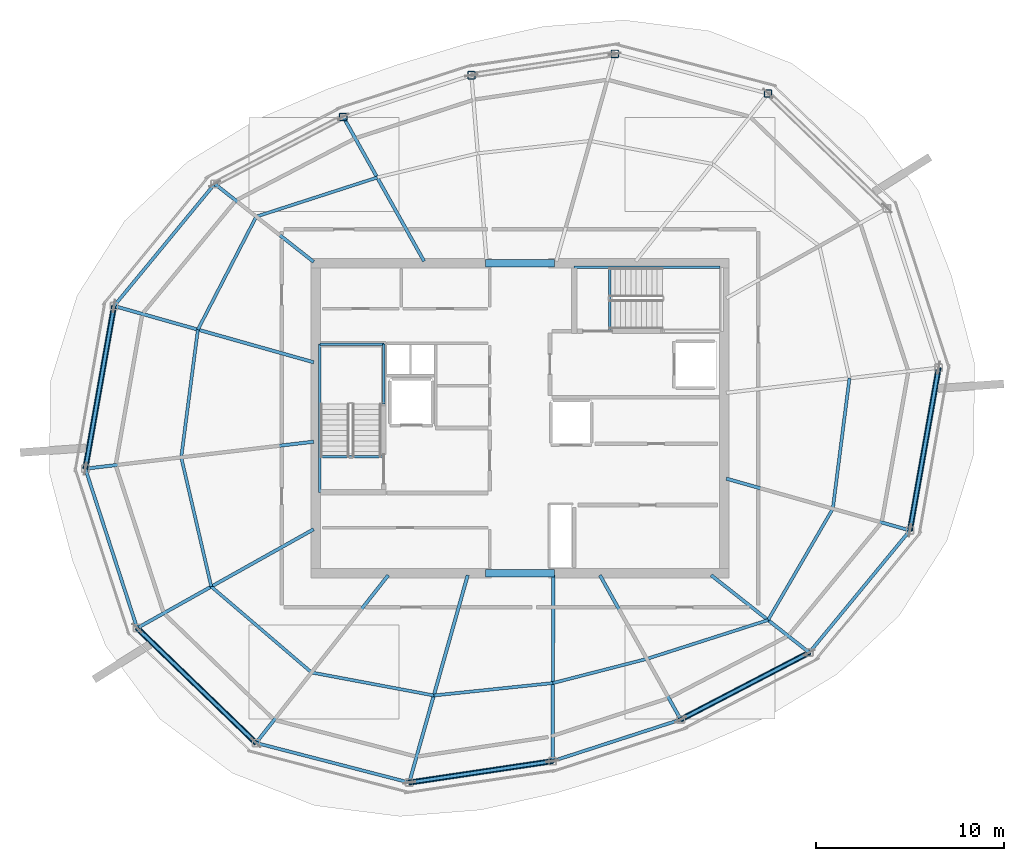
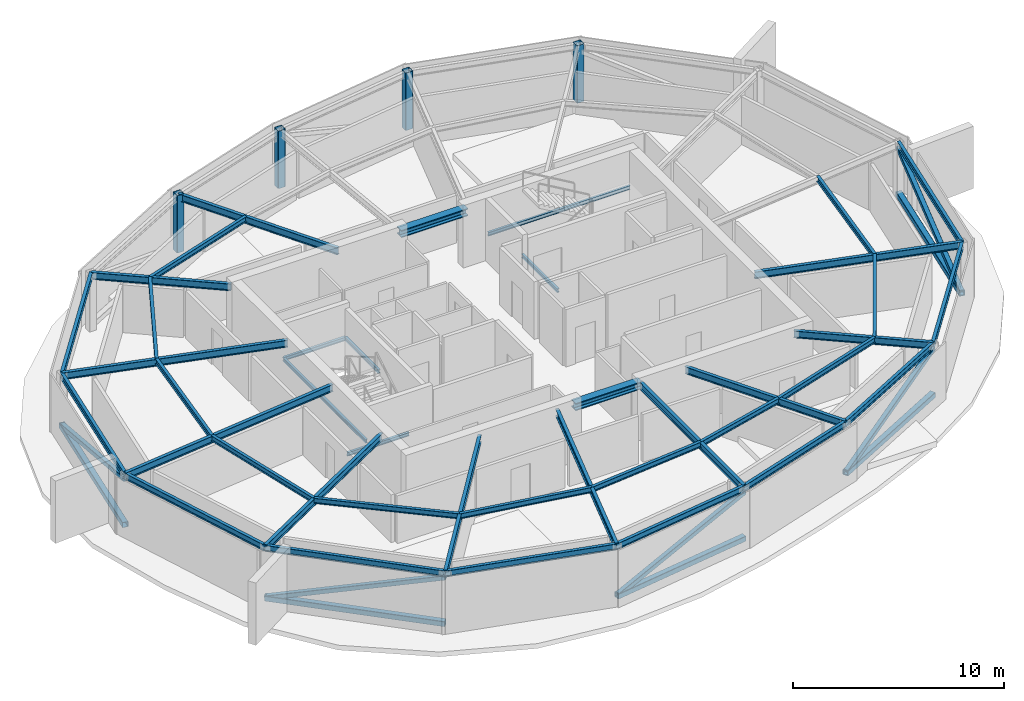
# One storey, part 4 of 10: 40 beams, 10 members, 4 columns.
"""IFC4 building model written with IfcOpenShell, lengths in metres."""

from ifc_helpers import new_model, si_unit, direction, frame, origin, origin_2d, place, context, subcontext, project, spatial, hollow_rectangle, i_section, extrude, material, material_profile, profile_set, type_object, element, save


model = new_model("IFC4")

# Units and contexts
model_context = context("Model", 3, precision=1e-05, world=origin(), true_north=direction((0.0, 1.0)))
body_context = subcontext(model_context, "Body", "Model", "MODEL_VIEW")
ifc_project = project(units=[si_unit("LENGTHUNIT", "METRE"), si_unit("AREAUNIT", "SQUARE_METRE"), si_unit("VOLUMEUNIT", "CUBIC_METRE"), si_unit("PLANEANGLEUNIT", "RADIAN"), si_unit("MASSUNIT", "GRAM", prefix="KILO")], contexts=[model_context])

# Site, building, storey
site_placement = place(None, origin())
site = spatial("IfcSite", under=ifc_project, at=site_placement, CompositionType="ELEMENT")
building_placement = place(site_placement, origin())
building = spatial("IfcBuilding", under=site, at=building_placement, Name="Kazma Halo Residences", CompositionType="ELEMENT")
storey_placement = place(building_placement, frame((0.0, 0.0, 366.800048828125)))
storey = spatial("IfcBuildingStorey", under=building, at=storey_placement, Name="L92", CompositionType="ELEMENT", Elevation=366.800048828125)

# Columns
ifc_material = material(Name="Steel S355", Category="steel")
ifc_material_profile_1 = material_profile(ifc_material, hollow_rectangle(XDim=0.39990234375, YDim=0.39990234375, WallThickness=0.02001953125, InnerFilletRadius=0.02001953125, OuterFilletRadius=0.0400390625, at=origin_2d()), Name="SHS400x400x20")
ifc_profile_set_1 = profile_set([ifc_material_profile_1], Name="Steel S355")
column_type = type_object("IfcColumnType", Name="COL-CROWN-SHS400", PredefinedType="COLUMN", material=ifc_profile_set_1)
for number, where, z_axis, x_axis, name in (
    (1, (61.617431640625, 59.273681640625, 0.0), (0.0, 0.0, 1.0), (1.0, 0.0, 0.0), "L92 CROWN FRAME perimeter column P02"),
    (2, (53.46630859375, 61.38232421875, 0.0), (0.0, 0.0, 1.0), (1.0, 0.0, 0.0), "L92 CROWN FRAME perimeter column P03"),
    (3, (45.8408203125, 60.24365234375, 0.0), (0.0, 0.0, 1.0), (1.0, 0.0, 0.0), "L92 CROWN FRAME perimeter column P04"),
    (4, (39.0234375, 58.02880859375, 0.0), (0.0, 0.0, 1.0), (1.0, 0.0, 0.0), "L92 CROWN FRAME perimeter column P05"),
):
    element("IfcColumn", number, at=place(storey_placement, frame(where, z_axis=z_axis, x_axis=x_axis)), inside=storey, type_object=column_type, Name=name, PredefinedType="COLUMN", context=body_context, shape_type="SweptSolid", body=[
        extrude(hollow_rectangle(XDim=0.39990234375, YDim=0.39990234375, WallThickness=0.02001953125, InnerFilletRadius=0.02001953125, OuterFilletRadius=0.0400390625, at=origin_2d()), origin(), (0.0, 0.0, 1.0), 3.320068359375),
    ])

# Beams
ifc_material_profile_2 = material_profile(ifc_material, i_section(OverallWidth=0.408935546875, OverallDepth=0.425048828125, WebThickness=0.03271484375, FlangeThickness=0.052490234375, FilletRadius=0.02001953125, at=origin_2d()), Name="W360x421")
ifc_profile_set_2 = profile_set([ifc_material_profile_2], Name="Steel S355")
beam_type_1 = type_object("IfcBeamType", Name="BM-CORE-W360H", PredefinedType="BEAM", material=ifc_profile_set_2)
for number, where, z_axis, x_axis, name in (
    (5, (46.60009765625, 33.75, 3.107421875), (1.0, 0.0, 0.0), (0.0, 1.0, 0.0), "L92 core coupling beam S"),
    (6, (46.60009765625, 50.25, 3.107421875), (1.0, 0.0, 0.0), (0.0, 1.0, 0.0), "L92 core coupling beam N"),
):
    element("IfcBeam", number, at=place(storey_placement, frame(where, z_axis=z_axis, x_axis=x_axis)), inside=storey, type_object=beam_type_1, Name=name, PredefinedType="BEAM", context=body_context, shape_type="SweptSolid", body=[
        extrude(i_section(OverallWidth=0.408935546875, OverallDepth=0.425048828125, WebThickness=0.03271484375, FlangeThickness=0.052490234375, FilletRadius=0.02001953125, at=origin_2d()), origin(), (0.0, 0.0, 1.0), 3.64990234375),
    ])
ifc_material_profile_3 = material_profile(ifc_material, i_section(OverallWidth=0.177978515625, OverallDepth=0.406982421875, WebThickness=0.0078125, FlangeThickness=0.0126953125, FilletRadius=0.013916015625, at=origin_2d()), Name="W410x60")
ifc_profile_set_3 = profile_set([ifc_material_profile_3], Name="Steel S355")
beam_type_2 = type_object("IfcBeamType", Name="BM-RAD-W410", PredefinedType="BEAM", material=ifc_profile_set_3)
beam_1_placement = place(storey_placement, frame((43.32373046875, 50.35009765625, 3.116455078125), z_axis=(-0.488621952621, 0.872495608824, 0.0), x_axis=(-0.872495608824, -0.488621952621, 0.0)))
element("IfcBeam", 7, at=beam_1_placement, inside=storey, type_object=beam_type_2, Name="L92 radial floor beam 05", PredefinedType="BEAM", context=body_context, shape_type="SweptSolid", body=[
    extrude(i_section(OverallWidth=0.177978515625, OverallDepth=0.406982421875, WebThickness=0.0078125, FlangeThickness=0.0126953125, FilletRadius=0.013916015625, at=origin_2d()), origin(), (0.0, 0.0, 1.0), 8.80078125),
])
beam_2_placement = place(storey_placement, frame((37.449951171875, 50.31689453125, 3.116455078125), z_axis=(-0.785321596803, 0.619088030569, 0.0), x_axis=(-0.619088030569, -0.785321596803, 0.0)))
element("IfcBeam", 8, at=beam_2_placement, inside=storey, type_object=beam_type_2, Name="L92 radial floor beam 06", PredefinedType="BEAM", context=body_context, shape_type="SweptSolid", body=[
    extrude(i_section(OverallWidth=0.177978515625, OverallDepth=0.406982421875, WebThickness=0.0078125, FlangeThickness=0.0126953125, FilletRadius=0.013916015625, at=origin_2d()), origin(), (0.0, 0.0, 1.0), 6.704345703125),
])
beam_3_placement = place(storey_placement, frame((37.449951171875, 44.975341796875, 3.116455078125), z_axis=(-0.962455160106, 0.271440720572, 0.0), x_axis=(-0.271440720572, -0.962455160106, 0.0)))
element("IfcBeam", 9, at=beam_3_placement, inside=storey, type_object=beam_type_2, Name="L92 radial floor beam 07", PredefinedType="BEAM", context=body_context, shape_type="SweptSolid", body=[
    extrude(i_section(OverallWidth=0.177978515625, OverallDepth=0.406982421875, WebThickness=0.0078125, FlangeThickness=0.0126953125, FilletRadius=0.013916015625, at=origin_2d()), origin(), (0.0, 0.0, 1.0), 11.0341796875),
])
beam_4_placement = place(storey_placement, frame((37.449951171875, 40.751220703125, 3.116455078125), z_axis=(-0.993069432883, -0.117529151591, 0.0), x_axis=(0.117529151591, -0.993069432883, 0.0)))
element("IfcBeam", 10, at=beam_4_placement, inside=storey, type_object=beam_type_2, Name="L92 radial floor beam 08", PredefinedType="BEAM", context=body_context, shape_type="SweptSolid", body=[
    extrude(i_section(OverallWidth=0.177978515625, OverallDepth=0.406982421875, WebThickness=0.0078125, FlangeThickness=0.0126953125, FilletRadius=0.013916015625, at=origin_2d()), origin(), (0.0, 0.0, 1.0), 12.23095703125),
])
beam_5_placement = place(storey_placement, frame((37.449951171875, 36.091796875, 3.116455078125), z_axis=(-0.872494798344, -0.488623399832, 0.0), x_axis=(0.488623399832, -0.872494798344, 0.0)))
element("IfcBeam", 11, at=beam_5_placement, inside=storey, type_object=beam_type_2, Name="L92 radial floor beam 09", PredefinedType="BEAM", context=body_context, shape_type="SweptSolid", body=[
    extrude(i_section(OverallWidth=0.177978515625, OverallDepth=0.406982421875, WebThickness=0.0078125, FlangeThickness=0.0126953125, FilletRadius=0.013916015625, at=origin_2d()), origin(), (0.0, 0.0, 1.0), 10.762939453125),
])
beam_6_placement = place(storey_placement, frame((41.41748046875, 33.64990234375, 3.116455078125), z_axis=(-0.619100773028, -0.785311551447, 0.0), x_axis=(0.785311551447, -0.619100773028, 0.0)))
element("IfcBeam", 12, at=beam_6_placement, inside=storey, type_object=beam_type_2, Name="L92 radial floor beam 10", PredefinedType="BEAM", context=body_context, shape_type="SweptSolid", body=[
    extrude(i_section(OverallWidth=0.177978515625, OverallDepth=0.406982421875, WebThickness=0.0078125, FlangeThickness=0.0126953125, FilletRadius=0.013916015625, at=origin_2d()), origin(), (0.0, 0.0, 1.0), 11.363037109375),
])
beam_7_placement = place(storey_placement, frame((45.64501953125, 33.64990234375, 3.116455078125), z_axis=(-0.271433859027, -0.962457095238, 0.0), x_axis=(0.962457095238, -0.271433859027, 0.0)))
element("IfcBeam", 13, at=beam_7_placement, inside=storey, type_object=beam_type_2, Name="L92 radial floor beam 11", PredefinedType="BEAM", context=body_context, shape_type="SweptSolid", body=[
    extrude(i_section(OverallWidth=0.177978515625, OverallDepth=0.406982421875, WebThickness=0.0078125, FlangeThickness=0.0126953125, FilletRadius=0.013916015625, at=origin_2d()), origin(), (0.0, 0.0, 1.0), 11.462646484375),
])
beam_8_placement = place(storey_placement, frame((50.199951171875, 33.64990234375, 3.116455078125), z_axis=(-0.004120979715, -0.999991508727, 0.0), x_axis=(0.999991508727, -0.004120979715, 0.0)))
element("IfcBeam", 14, at=beam_8_placement, inside=storey, type_object=beam_type_2, Name="L92 radial floor beam 12", PredefinedType="BEAM", context=body_context, shape_type="SweptSolid", body=[
    extrude(i_section(OverallWidth=0.177978515625, OverallDepth=0.406982421875, WebThickness=0.0078125, FlangeThickness=0.0126953125, FilletRadius=0.013916015625, at=origin_2d()), origin(), (0.0, 0.0, 1.0), 9.8935546875),
])
beam_9_placement = place(storey_placement, frame((52.67626953125, 33.64990234375, 3.116455078125), z_axis=(0.488621952621, -0.872495608824, 0.0), x_axis=(0.872495608824, 0.488621952621, 0.0)))
element("IfcBeam", 15, at=beam_9_placement, inside=storey, type_object=beam_type_2, Name="L92 radial floor beam 13", PredefinedType="BEAM", context=body_context, shape_type="SweptSolid", body=[
    extrude(i_section(OverallWidth=0.177978515625, OverallDepth=0.406982421875, WebThickness=0.0078125, FlangeThickness=0.0126953125, FilletRadius=0.013916015625, at=origin_2d()), origin(), (0.0, 0.0, 1.0), 8.80078125),
])
beam_10_placement = place(storey_placement, frame((58.591796875, 33.64990234375, 3.116455078125), z_axis=(0.785342950436, -0.619060942234, 0.0), x_axis=(0.619060942234, 0.785342950436, 0.0)))
element("IfcBeam", 16, at=beam_10_placement, inside=storey, type_object=beam_type_2, Name="L92 radial floor beam 14", PredefinedType="BEAM", context=body_context, shape_type="SweptSolid", body=[
    extrude(i_section(OverallWidth=0.177978515625, OverallDepth=0.406982421875, WebThickness=0.0078125, FlangeThickness=0.0126953125, FilletRadius=0.013916015625, at=origin_2d()), origin(), (0.0, 0.0, 1.0), 6.651123046875),
])
beam_11_placement = place(storey_placement, frame((59.39990234375, 38.784912109375, 3.116455078125), z_axis=(0.962456764872, -0.271435030445, 0.0), x_axis=(0.271435030445, 0.962456764872, 0.0)))
element("IfcBeam", 17, at=beam_11_placement, inside=storey, type_object=beam_type_2, Name="L92 radial floor beam 15", PredefinedType="BEAM", context=body_context, shape_type="SweptSolid", body=[
    extrude(i_section(OverallWidth=0.177978515625, OverallDepth=0.406982421875, WebThickness=0.0078125, FlangeThickness=0.0126953125, FilletRadius=0.013916015625, at=origin_2d()), origin(), (0.0, 0.0, 1.0), 10.151123046875),
])
ifc_material_profile_4 = material_profile(ifc_material, i_section(OverallWidth=0.1650390625, OverallDepth=0.31005859375, WebThickness=0.005859375, FlangeThickness=0.009765625, FilletRadius=0.011962890625, at=origin_2d()), Name="W310x38.7")
ifc_profile_set_4 = profile_set([ifc_material_profile_4], Name="Steel S355")
beam_type_3 = type_object("IfcBeamType", Name="BM-SEC-W310B", PredefinedType="JOIST", material=ifc_profile_set_4)
beam_12_placement = place(storey_placement, frame((40.82958984375, 54.8037109375, 3.1650390625), z_axis=(-0.951532506418, -0.307548190094, 0.0), x_axis=(0.307548190094, -0.951532506418, 0.0)))
element("IfcBeam", 18, at=beam_12_placement, inside=storey, type_object=beam_type_3, Name="L92 circumferential floor joist 05", PredefinedType="JOIST", context=body_context, shape_type="SweptSolid", body=[
    extrude(i_section(OverallWidth=0.1650390625, OverallDepth=0.31005859375, WebThickness=0.005859375, FlangeThickness=0.009765625, FilletRadius=0.011962890625, at=origin_2d()), origin(), (0.0, 0.0, 1.0), 6.760986328125),
])
beam_13_placement = place(storey_placement, frame((34.396240234375, 52.724365234375, 3.1650390625), z_axis=(-0.458980181698, -0.888446505316, 0.0), x_axis=(0.888446505316, -0.458980181698, 0.0)))
element("IfcBeam", 19, at=beam_13_placement, inside=storey, type_object=beam_type_3, Name="L92 circumferential floor joist 06", PredefinedType="JOIST", context=body_context, shape_type="SweptSolid", body=[
    extrude(i_section(OverallWidth=0.1650390625, OverallDepth=0.31005859375, WebThickness=0.005859375, FlangeThickness=0.009765625, FilletRadius=0.011962890625, at=origin_2d()), origin(), (0.0, 0.0, 1.0), 6.7666015625),
])
beam_14_placement = place(storey_placement, frame((31.29052734375, 46.712646484375, 3.1650390625), z_axis=(-0.129220381174, -0.991615899978, 0.0), x_axis=(0.991615899978, -0.129220381174, 0.0)))
element("IfcBeam", 20, at=beam_14_placement, inside=storey, type_object=beam_type_3, Name="L92 circumferential floor joist 07", PredefinedType="JOIST", context=body_context, shape_type="SweptSolid", body=[
    extrude(i_section(OverallWidth=0.1650390625, OverallDepth=0.31005859375, WebThickness=0.005859375, FlangeThickness=0.009765625, FilletRadius=0.011962890625, at=origin_2d()), origin(), (0.0, 0.0, 1.0), 6.8525390625),
])
beam_15_placement = place(storey_placement, frame((30.405029296875, 39.91748046875, 3.1650390625), z_axis=(0.22642269465, -0.97402913886, 0.0), x_axis=(0.97402913886, 0.22642269465, 0.0)))
element("IfcBeam", 21, at=beam_15_placement, inside=storey, type_object=beam_type_3, Name="L92 circumferential floor joist 08", PredefinedType="JOIST", context=body_context, shape_type="SweptSolid", body=[
    extrude(i_section(OverallWidth=0.1650390625, OverallDepth=0.31005859375, WebThickness=0.005859375, FlangeThickness=0.009765625, FilletRadius=0.011962890625, at=origin_2d()), origin(), (0.0, 0.0, 1.0), 7.059326171875),
])
beam_16_placement = place(storey_placement, frame((32.00341796875, 33.04150390625, 3.1650390625), z_axis=(0.759582919789, -0.650410476518, 0.0), x_axis=(0.650410476518, 0.759582919789, 0.0)))
element("IfcBeam", 22, at=beam_16_placement, inside=storey, type_object=beam_type_3, Name="L92 circumferential floor joist 09", PredefinedType="JOIST", context=body_context, shape_type="SweptSolid", body=[
    extrude(i_section(OverallWidth=0.1650390625, OverallDepth=0.31005859375, WebThickness=0.005859375, FlangeThickness=0.009765625, FilletRadius=0.011962890625, at=origin_2d()), origin(), (0.0, 0.0, 1.0), 7.02197265625),
])
beam_17_placement = place(storey_placement, frame((37.337158203125, 28.474365234375, 3.1650390625), z_axis=(0.982768028721, -0.184843181435, 0.0), x_axis=(0.184843181435, 0.982768028721, 0.0)))
element("IfcBeam", 23, at=beam_17_placement, inside=storey, type_object=beam_type_3, Name="L92 circumferential floor joist 10", PredefinedType="JOIST", context=body_context, shape_type="SweptSolid", body=[
    extrude(i_section(OverallWidth=0.1650390625, OverallDepth=0.31005859375, WebThickness=0.005859375, FlangeThickness=0.009765625, FilletRadius=0.011962890625, at=origin_2d()), origin(), (0.0, 0.0, 1.0), 6.6171875),
])
beam_18_placement = place(storey_placement, frame((43.84033203125, 27.251220703125, 3.1650390625), z_axis=(0.994612236518, 0.10366532192, 0.0), x_axis=(-0.10366532192, 0.994612236518, 0.0)))
element("IfcBeam", 24, at=beam_18_placement, inside=storey, type_object=beam_type_3, Name="L92 circumferential floor joist 11", PredefinedType="JOIST", context=body_context, shape_type="SweptSolid", body=[
    extrude(i_section(OverallWidth=0.1650390625, OverallDepth=0.31005859375, WebThickness=0.005859375, FlangeThickness=0.009765625, FilletRadius=0.011962890625, at=origin_2d()), origin(), (0.0, 0.0, 1.0), 6.37060546875),
])
beam_19_placement = place(storey_placement, frame((50.176513671875, 27.91162109375, 3.1650390625), z_axis=(0.96846845721, 0.249136202485, 0.0), x_axis=(-0.249136202485, 0.96846845721, 0.0)))
element("IfcBeam", 25, at=beam_19_placement, inside=storey, type_object=beam_type_3, Name="L92 circumferential floor joist 12", PredefinedType="JOIST", context=body_context, shape_type="SweptSolid", body=[
    extrude(i_section(OverallWidth=0.1650390625, OverallDepth=0.31005859375, WebThickness=0.005859375, FlangeThickness=0.009765625, FilletRadius=0.011962890625, at=origin_2d()), origin(), (0.0, 0.0, 1.0), 5.156494140625),
])
beam_20_placement = place(storey_placement, frame((55.17041015625, 29.1962890625, 3.1650390625), z_axis=(0.952375588957, 0.304927429988, 0.0), x_axis=(-0.304927429988, 0.952375588957, 0.0)))
element("IfcBeam", 26, at=beam_20_placement, inside=storey, type_object=beam_type_3, Name="L92 circumferential floor joist 13", PredefinedType="JOIST", context=body_context, shape_type="SweptSolid", body=[
    extrude(i_section(OverallWidth=0.1650390625, OverallDepth=0.31005859375, WebThickness=0.005859375, FlangeThickness=0.009765625, FilletRadius=0.011962890625, at=origin_2d()), origin(), (0.0, 0.0, 1.0), 6.7734375),
])
beam_21_placement = place(storey_placement, frame((61.621337890625, 31.26171875, 3.1650390625), z_axis=(0.502650174973, 0.864489908327, 0.0), x_axis=(-0.864489908327, 0.502650174973, 0.0)))
element("IfcBeam", 27, at=beam_21_placement, inside=storey, type_object=beam_type_3, Name="L92 circumferential floor joist 14", PredefinedType="JOIST", context=body_context, shape_type="SweptSolid", body=[
    extrude(i_section(OverallWidth=0.1650390625, OverallDepth=0.31005859375, WebThickness=0.005859375, FlangeThickness=0.009765625, FilletRadius=0.011962890625, at=origin_2d()), origin(), (0.0, 0.0, 1.0), 6.853759765625),
])
beam_22_placement = place(storey_placement, frame((65.06640625, 37.186767578125, 3.1650390625), z_axis=(0.126603386769, 0.991953417484, 0.0), x_axis=(-0.991953417484, 0.126603386769, 0.0)))
element("IfcBeam", 28, at=beam_22_placement, inside=storey, type_object=beam_type_3, Name="L92 circumferential floor joist 15", PredefinedType="JOIST", context=body_context, shape_type="SweptSolid", body=[
    extrude(i_section(OverallWidth=0.1650390625, OverallDepth=0.31005859375, WebThickness=0.005859375, FlangeThickness=0.009765625, FilletRadius=0.011962890625, at=origin_2d()), origin(), (0.0, 0.0, 1.0), 6.994384765625),
])
ifc_material_profile_5 = material_profile(ifc_material, i_section(OverallWidth=0.1708984375, OverallDepth=0.35498046875, WebThickness=0.007080078125, FlangeThickness=0.01171875, FilletRadius=0.013916015625, at=origin_2d()), Name="W360x51")
ifc_profile_set_5 = profile_set([ifc_material_profile_5], Name="Steel S355")
beam_type_4 = type_object("IfcBeamType", Name="BM-SPN-W360", PredefinedType="BEAM", material=ifc_profile_set_5)
beam_23_placement = place(storey_placement, frame((32.184814453125, 54.467529296875, 3.142333984375), z_axis=(-0.636005014199, -0.77168492399, 0.0), x_axis=(0.77168492399, -0.636005014199, 0.0)))
element("IfcBeam", 29, at=beam_23_placement, inside=storey, type_object=beam_type_4, Name="L92 CROWN FRAME ring beam 06", PredefinedType="BEAM", context=body_context, shape_type="SweptSolid", body=[
    extrude(i_section(OverallWidth=0.1708984375, OverallDepth=0.35498046875, WebThickness=0.007080078125, FlangeThickness=0.01171875, FilletRadius=0.013916015625, at=origin_2d()), origin(), (0.0, 0.0, 1.0), 8.41943359375),
])
beam_24_placement = place(storey_placement, frame((26.830078125, 47.970458984375, 3.142333984375), z_axis=(-0.173642734291, -0.984808712811, 0.0), x_axis=(0.984808712811, -0.173642734291, 0.0)))
element("IfcBeam", 30, at=beam_24_placement, inside=storey, type_object=beam_type_4, Name="L92 CROWN FRAME ring beam 07", PredefinedType="BEAM", context=body_context, shape_type="SweptSolid", body=[
    extrude(i_section(OverallWidth=0.1708984375, OverallDepth=0.35498046875, WebThickness=0.007080078125, FlangeThickness=0.01171875, FilletRadius=0.013916015625, at=origin_2d()), origin(), (0.0, 0.0, 1.0), 8.790283203125),
])
beam_25_placement = place(storey_placement, frame((25.3037109375, 39.313720703125, 3.142333984375), z_axis=(0.309015498459, -0.951057002346, 0.0), x_axis=(0.951057002346, 0.309015498459, 0.0)))
element("IfcBeam", 31, at=beam_25_placement, inside=storey, type_object=beam_type_4, Name="L92 CROWN FRAME ring beam 08", PredefinedType="BEAM", context=body_context, shape_type="SweptSolid", body=[
    extrude(i_section(OverallWidth=0.1708984375, OverallDepth=0.35498046875, WebThickness=0.007080078125, FlangeThickness=0.01171875, FilletRadius=0.013916015625, at=origin_2d()), origin(), (0.0, 0.0, 1.0), 8.91748046875),
])
beam_26_placement = place(storey_placement, frame((28.059326171875, 30.832763671875, 3.142333984375), z_axis=(0.719330630477, -0.694667866003, 0.0), x_axis=(0.694667866003, 0.719330630477, 0.0)))
element("IfcBeam", 32, at=beam_26_placement, inside=storey, type_object=beam_type_4, Name="L92 CROWN FRAME ring beam 09", PredefinedType="BEAM", context=body_context, shape_type="SweptSolid", body=[
    extrude(i_section(OverallWidth=0.1708984375, OverallDepth=0.35498046875, WebThickness=0.007080078125, FlangeThickness=0.01171875, FilletRadius=0.013916015625, at=origin_2d()), origin(), (0.0, 0.0, 1.0), 8.79052734375),
])
beam_27_placement = place(storey_placement, frame((34.382568359375, 24.726318359375, 3.142333984375), z_axis=(0.968129821283, -0.250448895271, 0.0), x_axis=(0.250448895271, 0.968129821283, 0.0)))
element("IfcBeam", 33, at=beam_27_placement, inside=storey, type_object=beam_type_4, Name="L92 CROWN FRAME ring beam 10", PredefinedType="BEAM", context=body_context, shape_type="SweptSolid", body=[
    extrude(i_section(OverallWidth=0.1708984375, OverallDepth=0.35498046875, WebThickness=0.007080078125, FlangeThickness=0.01171875, FilletRadius=0.013916015625, at=origin_2d()), origin(), (0.0, 0.0, 1.0), 8.41943359375),
])
beam_28_placement = place(storey_placement, frame((42.53369140625, 22.61767578125, 3.142333984375), z_axis=(0.989034152337, 0.147686984904, 0.0), x_axis=(-0.147686984904, 0.989034152337, 0.0)))
element("IfcBeam", 34, at=beam_28_placement, inside=storey, type_object=beam_type_4, Name="L92 CROWN FRAME ring beam 11", PredefinedType="BEAM", context=body_context, shape_type="SweptSolid", body=[
    extrude(i_section(OverallWidth=0.1708984375, OverallDepth=0.35498046875, WebThickness=0.007080078125, FlangeThickness=0.01171875, FilletRadius=0.013916015625, at=origin_2d()), origin(), (0.0, 0.0, 1.0), 7.7099609375),
])
beam_29_placement = place(storey_placement, frame((50.1591796875, 23.75634765625, 3.142333984375), z_axis=(0.951067102, 0.308984413026, 0.0), x_axis=(-0.308984413026, 0.951067102, 0.0)))
element("IfcBeam", 35, at=beam_29_placement, inside=storey, type_object=beam_type_4, Name="L92 CROWN FRAME ring beam 12", PredefinedType="BEAM", context=body_context, shape_type="SweptSolid", body=[
    extrude(i_section(OverallWidth=0.1708984375, OverallDepth=0.35498046875, WebThickness=0.007080078125, FlangeThickness=0.01171875, FilletRadius=0.013916015625, at=origin_2d()), origin(), (0.0, 0.0, 1.0), 7.168212890625),
])
beam_30_placement = place(storey_placement, frame((56.9765625, 25.97119140625, 3.142333984375), z_axis=(0.886940838721, 0.461883046461, 0.0), x_axis=(-0.461883046461, 0.886940838721, 0.0)))
element("IfcBeam", 36, at=beam_30_placement, inside=storey, type_object=beam_type_4, Name="L92 CROWN FRAME ring beam 13", PredefinedType="BEAM", context=body_context, shape_type="SweptSolid", body=[
    extrude(i_section(OverallWidth=0.1708984375, OverallDepth=0.35498046875, WebThickness=0.007080078125, FlangeThickness=0.01171875, FilletRadius=0.013916015625, at=origin_2d()), origin(), (0.0, 0.0, 1.0), 7.71044921875),
])
beam_31_placement = place(storey_placement, frame((63.815185546875, 29.532470703125, 3.142333984375), z_axis=(0.636005014199, 0.77168492399, 0.0), x_axis=(-0.77168492399, 0.636005014199, 0.0)))
element("IfcBeam", 37, at=beam_31_placement, inside=storey, type_object=beam_type_4, Name="L92 CROWN FRAME ring beam 14", PredefinedType="BEAM", context=body_context, shape_type="SweptSolid", body=[
    extrude(i_section(OverallWidth=0.1708984375, OverallDepth=0.35498046875, WebThickness=0.007080078125, FlangeThickness=0.01171875, FilletRadius=0.013916015625, at=origin_2d()), origin(), (0.0, 0.0, 1.0), 8.41943359375),
])
beam_32_placement = place(storey_placement, frame((69.169921875, 36.029541015625, 3.142333984375), z_axis=(0.173642734291, 0.984808712811, 0.0), x_axis=(-0.984808712811, 0.173642734291, 0.0)))
element("IfcBeam", 38, at=beam_32_placement, inside=storey, type_object=beam_type_4, Name="L92 CROWN FRAME ring beam 15", PredefinedType="BEAM", context=body_context, shape_type="SweptSolid", body=[
    extrude(i_section(OverallWidth=0.1708984375, OverallDepth=0.35498046875, WebThickness=0.007080078125, FlangeThickness=0.01171875, FilletRadius=0.013916015625, at=origin_2d()), origin(), (0.0, 0.0, 1.0), 8.790283203125),
])
ifc_material_profile_6 = material_profile(ifc_material, i_section(OverallWidth=0.133056640625, OverallDepth=0.20703125, WebThickness=0.005859375, FlangeThickness=0.00830078125, FilletRadius=0.010009765625, at=origin_2d()), Name="W200x26.6")
ifc_profile_set_6 = profile_set([ifc_material_profile_6], Name="Steel S355")
beam_type_5 = type_object("IfcBeamType", Name="BM-TRIM-W200", PredefinedType="BEAM", material=ifc_profile_set_6)
for number, where, z_axis, x_axis, name in (
    (39, (37.800048828125, 39.949951171875, -0.39013671875), (1.0, 0.0, 0.0), (0.0, 1.0, 0.0), "L92 ST-01 floor landing support beam"),
    (40, (53.199951171875, 46.6201171875, -0.39013671875), (0.0, 1.0, 0.0), (-1.0, 0.0, 0.0), "L92 ST-02 floor landing support beam"),
):
    element("IfcBeam", number, at=place(storey_placement, frame(where, z_axis=z_axis, x_axis=x_axis)), inside=storey, type_object=beam_type_5, Name=name, PredefinedType="BEAM", context=body_context, shape_type="SweptSolid", body=[
        extrude(i_section(OverallWidth=0.133056640625, OverallDepth=0.20703125, WebThickness=0.005859375, FlangeThickness=0.00830078125, FilletRadius=0.010009765625, at=origin_2d()), origin(), (0.0, 0.0, 1.0), 3.3798828125),
    ])
beam_33_placement = place(storey_placement, frame((37.780029296875, 38.06005859375, 1.494873046875), z_axis=(0.0, 1.0, 0.0), x_axis=(-1.0, 0.0, 0.0)))
element("IfcBeam", 41, at=beam_33_placement, inside=storey, type_object=beam_type_5, Name="L92 ST-01 landing west wall ledger", PredefinedType="BEAM", context=body_context, shape_type="SweptSolid", body=[
    extrude(i_section(OverallWidth=0.133056640625, OverallDepth=0.20703125, WebThickness=0.005859375, FlangeThickness=0.00830078125, FilletRadius=0.010009765625, at=origin_2d()), origin(), (0.0, 0.0, 1.0), 7.8798828125),
])
beam_34_placement = place(storey_placement, frame((41.179931640625, 42.75, 1.494873046875), z_axis=(0.0, 1.0, 0.0), x_axis=(-1.0, 0.0, 0.0)))
element("IfcBeam", 42, at=beam_34_placement, inside=storey, type_object=beam_type_5, Name="L92 ST-01 landing east wall ledger", PredefinedType="BEAM", context=body_context, shape_type="SweptSolid", body=[
    extrude(i_section(OverallWidth=0.133056640625, OverallDepth=0.20703125, WebThickness=0.005859375, FlangeThickness=0.00830078125, FilletRadius=0.010009765625, at=origin_2d()), origin(), (0.0, 0.0, 1.0), 3.18994140625),
])
beam_35_placement = place(storey_placement, frame((37.780029296875, 45.93994140625, 1.494873046875), z_axis=(1.0, 0.0, 0.0), x_axis=(0.0, 1.0, 0.0)))
element("IfcBeam", 43, at=beam_35_placement, inside=storey, type_object=beam_type_5, Name="L92 ST-01 landing end wall ledger", PredefinedType="BEAM", context=body_context, shape_type="SweptSolid", body=[
    extrude(i_section(OverallWidth=0.133056640625, OverallDepth=0.20703125, WebThickness=0.005859375, FlangeThickness=0.00830078125, FilletRadius=0.010009765625, at=origin_2d()), origin(), (0.0, 0.0, 1.0), 3.39990234375),
])
beam_36_placement = place(storey_placement, frame((51.31005859375, 50.02001953125, 1.494873046875), z_axis=(1.0, 0.0, 0.0), x_axis=(0.0, 1.0, 0.0)))
element("IfcBeam", 44, at=beam_36_placement, inside=storey, type_object=beam_type_5, Name="L92 ST-02 landing north wall ledger", PredefinedType="BEAM", context=body_context, shape_type="SweptSolid", body=[
    extrude(i_section(OverallWidth=0.133056640625, OverallDepth=0.20703125, WebThickness=0.005859375, FlangeThickness=0.00830078125, FilletRadius=0.010009765625, at=origin_2d()), origin(), (0.0, 0.0, 1.0), 7.760009765625),
])

# Members
ifc_material_profile_7 = material_profile(ifc_material, hollow_rectangle(XDim=0.25, YDim=0.25, WallThickness=0.010009765625, InnerFilletRadius=0.010009765625, OuterFilletRadius=0.02001953125, at=origin_2d()), Name="SHS250x250x10")
ifc_profile_set_7 = profile_set([ifc_material_profile_7], Name="Steel S355")
member_type_1 = type_object("IfcMemberType", Name="MBR-CRWN-SHS250", PredefinedType="BRACE", material=ifc_profile_set_7)
member_1_placement = place(storey_placement, frame((26.830078125, 47.970458984375, 0.280029296875), z_axis=(-0.166200300203, -0.942599207388, 0.289627682455), x_axis=(0.984808712811, -0.173642734291, 0.0)))
element("IfcMember", 45, at=member_1_placement, inside=storey, type_object=member_type_1, Name="L92 CROWN FRAME diagonal brace 07", PredefinedType="BRACE", context=body_context, shape_type="SweptSolid", body=[
    extrude(hollow_rectangle(XDim=0.25, YDim=0.25, WallThickness=0.010009765625, InnerFilletRadius=0.010009765625, OuterFilletRadius=0.02001953125, at=origin_2d()), origin(), (0.0, 0.0, 1.0), 9.183837890625),
])
member_2_placement = place(storey_placement, frame((28.059326171875, 30.832763671875, 0.280029296875), z_axis=(0.688500856282, -0.664895112638, 0.289622271397), x_axis=(0.694667866003, 0.719330630477, 0.0)))
element("IfcMember", 46, at=member_2_placement, inside=storey, type_object=member_type_1, Name="L92 CROWN FRAME diagonal brace 09", PredefinedType="BRACE", context=body_context, shape_type="SweptSolid", body=[
    extrude(hollow_rectangle(XDim=0.25, YDim=0.25, WallThickness=0.010009765625, InnerFilletRadius=0.010009765625, OuterFilletRadius=0.02001953125, at=origin_2d()), origin(), (0.0, 0.0, 1.0), 9.18408203125),
])
member_3_placement = place(storey_placement, frame((42.53369140625, 22.61767578125, 0.280029296875), z_axis=(0.934958348146, 0.139612144962, 0.326130857497), x_axis=(-0.147686984904, 0.989034152337, 0.0)))
element("IfcMember", 47, at=member_3_placement, inside=storey, type_object=member_type_1, Name="L92 CROWN FRAME diagonal brace 11", PredefinedType="BRACE", context=body_context, shape_type="SweptSolid", body=[
    extrude(hollow_rectangle(XDim=0.25, YDim=0.25, WallThickness=0.010009765625, InnerFilletRadius=0.010009765625, OuterFilletRadius=0.02001953125, at=origin_2d()), origin(), (0.0, 0.0, 1.0), 8.156005859375),
])
member_4_placement = place(storey_placement, frame((56.9765625, 25.97119140625, 0.280029296875), z_axis=(0.838450646682, 0.436631308527, 0.326119017372), x_axis=(-0.461883046461, 0.886940838721, 0.0)))
element("IfcMember", 48, at=member_4_placement, inside=storey, type_object=member_type_1, Name="L92 CROWN FRAME diagonal brace 13", PredefinedType="BRACE", context=body_context, shape_type="SweptSolid", body=[
    extrude(hollow_rectangle(XDim=0.25, YDim=0.25, WallThickness=0.010009765625, InnerFilletRadius=0.010009765625, OuterFilletRadius=0.02001953125, at=origin_2d()), origin(), (0.0, 0.0, 1.0), 8.15625),
])
member_5_placement = place(storey_placement, frame((69.169921875, 36.029541015625, 0.280029296875), z_axis=(0.166200300203, 0.942599207388, 0.289627682455), x_axis=(-0.984808712811, 0.173642734291, 0.0)))
element("IfcMember", 49, at=member_5_placement, inside=storey, type_object=member_type_1, Name="L92 CROWN FRAME diagonal brace 15", PredefinedType="BRACE", context=body_context, shape_type="SweptSolid", body=[
    extrude(hollow_rectangle(XDim=0.25, YDim=0.25, WallThickness=0.010009765625, InnerFilletRadius=0.010009765625, OuterFilletRadius=0.02001953125, at=origin_2d()), origin(), (0.0, 0.0, 1.0), 9.183837890625),
])
ifc_material_profile_8 = material_profile(ifc_material, hollow_rectangle(XDim=0.300048828125, YDim=0.300048828125, WallThickness=0.012451171875, InnerFilletRadius=0.012451171875, OuterFilletRadius=0.02490234375, at=origin_2d()), Name="SHS300x300x12.5")
ifc_profile_set_8 = profile_set([ifc_material_profile_8], Name="Steel S355")
member_type_2 = type_object("IfcMemberType", Name="MBR-CRWN-SHS300", PredefinedType="CHORD", material=ifc_profile_set_8)
member_6_placement = place(storey_placement, frame((26.830078125, 47.970458984375, 0.280029296875), z_axis=(-0.173642734291, -0.984808712811, 0.0), x_axis=(0.984808712811, -0.173642734291, 0.0)))
element("IfcMember", 50, at=member_6_placement, inside=storey, type_object=member_type_2, Name="L92 CROWN FRAME horizontal ring chord 07", PredefinedType="CHORD", context=body_context, shape_type="SweptSolid", body=[
    extrude(hollow_rectangle(XDim=0.300048828125, YDim=0.300048828125, WallThickness=0.012451171875, InnerFilletRadius=0.012451171875, OuterFilletRadius=0.02490234375, at=origin_2d()), origin(), (0.0, 0.0, 1.0), 8.790283203125),
])
member_7_placement = place(storey_placement, frame((28.059326171875, 30.832763671875, 0.280029296875), z_axis=(0.719330630477, -0.694667866003, 0.0), x_axis=(0.694667866003, 0.719330630477, 0.0)))
element("IfcMember", 51, at=member_7_placement, inside=storey, type_object=member_type_2, Name="L92 CROWN FRAME horizontal ring chord 09", PredefinedType="CHORD", context=body_context, shape_type="SweptSolid", body=[
    extrude(hollow_rectangle(XDim=0.300048828125, YDim=0.300048828125, WallThickness=0.012451171875, InnerFilletRadius=0.012451171875, OuterFilletRadius=0.02490234375, at=origin_2d()), origin(), (0.0, 0.0, 1.0), 8.79052734375),
])
member_8_placement = place(storey_placement, frame((42.53369140625, 22.61767578125, 0.280029296875), z_axis=(0.989034152337, 0.147686984904, 0.0), x_axis=(-0.147686984904, 0.989034152337, 0.0)))
element("IfcMember", 52, at=member_8_placement, inside=storey, type_object=member_type_2, Name="L92 CROWN FRAME horizontal ring chord 11", PredefinedType="CHORD", context=body_context, shape_type="SweptSolid", body=[
    extrude(hollow_rectangle(XDim=0.300048828125, YDim=0.300048828125, WallThickness=0.012451171875, InnerFilletRadius=0.012451171875, OuterFilletRadius=0.02490234375, at=origin_2d()), origin(), (0.0, 0.0, 1.0), 7.7099609375),
])
member_9_placement = place(storey_placement, frame((56.9765625, 25.97119140625, 0.280029296875), z_axis=(0.886940838721, 0.461883046461, 0.0), x_axis=(-0.461883046461, 0.886940838721, 0.0)))
element("IfcMember", 53, at=member_9_placement, inside=storey, type_object=member_type_2, Name="L92 CROWN FRAME horizontal ring chord 13", PredefinedType="CHORD", context=body_context, shape_type="SweptSolid", body=[
    extrude(hollow_rectangle(XDim=0.300048828125, YDim=0.300048828125, WallThickness=0.012451171875, InnerFilletRadius=0.012451171875, OuterFilletRadius=0.02490234375, at=origin_2d()), origin(), (0.0, 0.0, 1.0), 7.71044921875),
])
member_10_placement = place(storey_placement, frame((69.169921875, 36.029541015625, 0.280029296875), z_axis=(0.173642734291, 0.984808712811, 0.0), x_axis=(-0.984808712811, 0.173642734291, 0.0)))
element("IfcMember", 54, at=member_10_placement, inside=storey, type_object=member_type_2, Name="L92 CROWN FRAME horizontal ring chord 15", PredefinedType="CHORD", context=body_context, shape_type="SweptSolid", body=[
    extrude(hollow_rectangle(XDim=0.300048828125, YDim=0.300048828125, WallThickness=0.012451171875, InnerFilletRadius=0.012451171875, OuterFilletRadius=0.02490234375, at=origin_2d()), origin(), (0.0, 0.0, 1.0), 8.790283203125),
])

save(model, "model.ifc")
